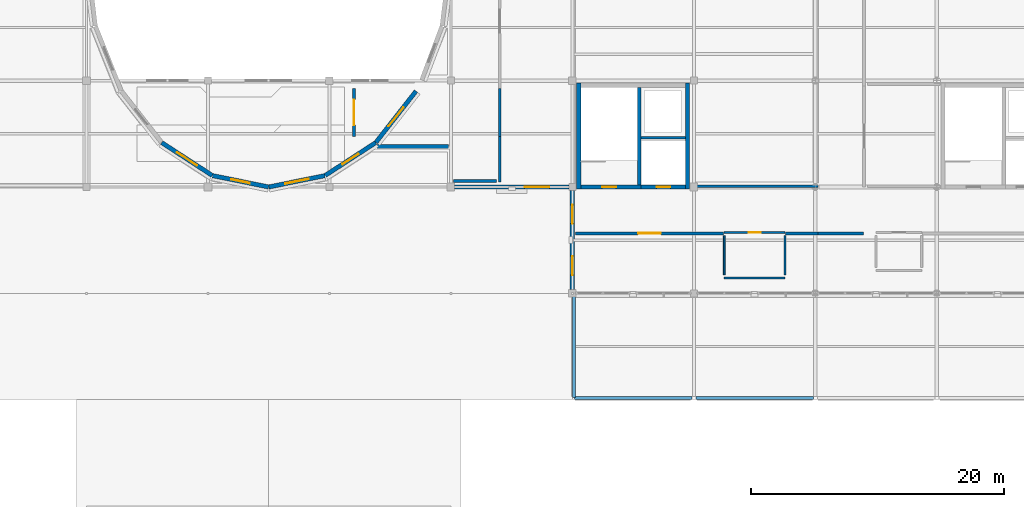
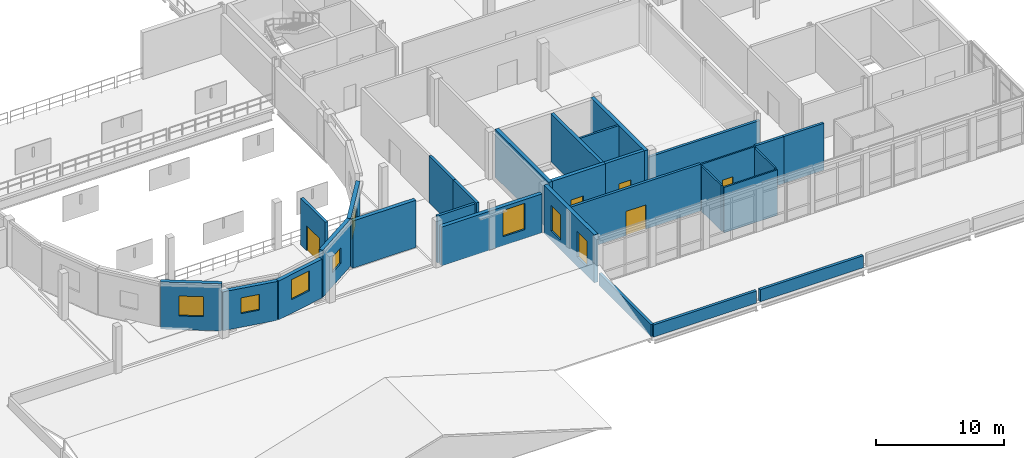
# One storey, part 40 of 52: 29 walls, 8 windows, 5 doors, 13 openings.
"""IFC4 building model written with IfcOpenShell, lengths in metres."""

from ifc_helpers import new_model, si_unit, direction, frame, frame_2d, origin, place, context, subcontext, project, spatial, rectangle, extrude, material, layer, layer_set, type_object, element, fill, save


model = new_model("IFC4")

# Units and contexts
model_context = context("Model", 3, precision=1e-05, world=origin(), true_north=direction((0.0, 1.0)))
body_context = subcontext(model_context, "Body", "Model", "MODEL_VIEW")
ifc_project = project(units=[si_unit("LENGTHUNIT", "METRE"), si_unit("AREAUNIT", "SQUARE_METRE"), si_unit("VOLUMEUNIT", "CUBIC_METRE"), si_unit("PLANEANGLEUNIT", "RADIAN"), si_unit("MASSUNIT", "GRAM", prefix="KILO")], contexts=[model_context])

# Site, building, storey
site_placement = place(None, origin())
site = spatial("IfcSite", under=ifc_project, at=site_placement, CompositionType="ELEMENT")
building_placement = place(site_placement, origin())
building = spatial("IfcBuilding", under=site, at=building_placement, Name="Lornevale Opera House", CompositionType="ELEMENT")
storey_placement = place(building_placement, frame((0.0, 0.0, 15.0)))
storey = spatial("IfcBuildingStorey", under=building, at=storey_placement, Name="L04", CompositionType="ELEMENT", Elevation=15.0)

# Wall, opening, door
ifc_material_1 = material(Name="Acoustic Mineral-Core Gypsum Partition", Category="gypsum")
ifc_layer_1 = layer(ifc_material_1, 0.25)
ifc_layer_set_1 = layer_set([ifc_layer_1], Name="Acoustic Mineral-Core Gypsum Partition")
wall_type_1 = type_object("IfcWallType", Name="Auditorium Box-in-Box Liner 250", PredefinedType="SOLIDWALL", material=ifc_layer_set_1)
wall_1_placement = place(storey_placement, frame((88.340087890625, 37.60009765625, 0.0), z_axis=(0.0, 0.0, 1.0), x_axis=(0.0, 1.0, 0.0)))
wall_1 = element("IfcWall", 1, at=wall_1_placement, inside=storey, type_object=wall_type_1, Name="L04 Partition WL-INT-0866", PredefinedType="SOLIDWALL", context=body_context, shape_type="SweptSolid", body=[
    extrude(rectangle(XDim=3.7998046875, YDim=0.25, at=frame_2d((1.89990234375, 0.0))), origin(), (0.0, 0.0, 1.0), 4.449951171875),
])
opening_1_placement = place(wall_1_placement, frame((0.89990234375, 0.0, 0.0)))
opening_1 = element("IfcOpeningElement", 2, at=opening_1_placement, cuts=wall_1, Name="Opening DR-T14", PredefinedType="OPENING", context=body_context, shape_type="SweptSolid", body=[
    extrude(rectangle(XDim=2.0, YDim=2.39990234375, at=frame_2d((1.0, 1.199951171875))), frame((0.0, 0.135009765625, 0.0), z_axis=(0.0, -1.0, 0.0), x_axis=(1.0, 0.0, 0.0)), (0.0, 0.0, 1.0), 0.27001953125),
])
ifc_material_2 = material(Name="White Oak Acoustic Panelling", Category="wood")
ifc_layer_2 = layer(ifc_material_2, 2.39990234375)
ifc_layer_set_2 = layer_set([ifc_layer_2], Name="White Oak Acoustic Panelling")
door_type_1 = type_object("IfcDoorType", Name="Auditorium Acoustic Sound-Lock Pair 2000x2400", OperationType="NOTDEFINED", PredefinedType="DOOR", material=ifc_layer_set_2)
door_1_placement = place(opening_1_placement, origin())
door_1 = element("IfcDoor", 3, at=door_1_placement, inside=storey, type_object=door_type_1, Name="Auditorium Upper Circle Tier Door", OperationType="DOUBLE_SWING_LEFT", OverallHeight=2.39990234375, OverallWidth=2.0, PredefinedType="DOOR", context=body_context, shape_type="SweptSolid", body=[
    extrude(rectangle(XDim=2.0, YDim=2.39990234375, at=frame_2d((1.0, 1.199951171875))), frame((0.0, 0.02490234375, 0.0), z_axis=(0.0, -1.0, 0.0), x_axis=(1.0, 0.0, 0.0)), (0.0, 0.0, 1.0), 0.050048828125),
])
fill(opening_1, door_1)

ifc_material_3 = material(Name="Concrete 40 MPa (CSA A23.1 C-1)", Category="concrete")
ifc_layer_3 = layer(ifc_material_3, 0.320068359375)
ifc_layer_set_3 = layer_set([ifc_layer_3], Name="Concrete 40 MPa (CSA A23.1 C-1)")
wall_type_2 = type_object("IfcWallType", Name="Core Shear Wall 320", PredefinedType="SHEAR", material=ifc_layer_set_3)
wall_2_placement = place(storey_placement, frame((106.260009765625, 33.60009765625, 0.0), z_axis=(0.0, 0.0, 1.0), x_axis=(1.0, 0.0, 0.0)))
wall_2 = element("IfcWall", 4, at=wall_2_placement, inside=storey, type_object=wall_type_2, Name="South-East Foyer Core Core Shear Wall 320 WL-COR-0071", PredefinedType="SHEAR", context=body_context, shape_type="SweptSolid", body=[
    extrude(rectangle(XDim=4.780029296875, YDim=0.320068359375, at=frame_2d((2.39013671875, 0.0))), origin(), (0.0, 0.0, 1.0), 4.56005859375),
])
opening_2_placement = place(wall_2_placement, frame((1.68994140625, 0.0, 0.0)))
opening_2 = element("IfcOpeningElement", 5, at=opening_2_placement, cuts=wall_2, Name="Opening DR-T11", PredefinedType="OPENING", context=body_context, shape_type="SweptSolid", body=[
    extrude(rectangle(XDim=1.10009765625, YDim=2.199951171875, at=frame_2d((0.550048828125, 1.10009765625))), frame((0.0, 0.169921875, 0.0), z_axis=(0.0, -1.0, 0.0), x_axis=(1.0, 0.0, 0.0)), (0.0, 0.0, 1.0), 0.340087890625),
])
ifc_material_4 = material(Name="Painted Hollow Metal Door Steel", Category="steel")
ifc_layer_4 = layer(ifc_material_4, 2.199951171875)
ifc_layer_set_4 = layer_set([ifc_layer_4], Name="Painted Hollow Metal Door Steel")
door_type_2 = type_object("IfcDoorType", Name="Protected Exit Stair Door R 1100x2200", OperationType="NOTDEFINED", PredefinedType="DOOR", material=ifc_layer_set_4)
door_2_placement = place(opening_2_placement, origin())
door_2 = element("IfcDoor", 6, at=door_2_placement, inside=storey, type_object=door_type_2, Name="C2 Stair Door L04", OperationType="SINGLE_SWING_RIGHT", OverallHeight=2.199951171875, OverallWidth=1.10009765625, PredefinedType="DOOR", context=body_context, shape_type="SweptSolid", body=[
    extrude(rectangle(XDim=1.10009765625, YDim=2.199951171875, at=frame_2d((0.550048828125, 1.10009765625))), frame((0.0, 0.02490234375, 0.0), z_axis=(0.0, -1.0, 0.0), x_axis=(1.0, 0.0, 0.0)), (0.0, 0.0, 1.0), 0.050048828125),
])
fill(opening_2, door_2)

# Walls
for number, where, z_axis, x_axis, name in (
    (7, (106.10009765625, 41.800048828125, 0.0), (0.0, 0.0, 1.0), (0.0, -1.0, 0.0), "South-East Foyer Core Core Shear Wall 320 WL-COR-0074"),
    (8, (114.699951171875, 33.43994140625, 0.0), (0.0, 0.0, 1.0), (0.0, 1.0, 0.0), "South-East Foyer Core Core Shear Wall 320 WL-COR-0075"),
):
    element("IfcWall", number, at=place(storey_placement, frame(where, z_axis=z_axis, x_axis=x_axis)), inside=storey, type_object=wall_type_2, Name=name, PredefinedType="SHEAR", context=body_context, shape_type="SweptSolid", body=[
        extrude(rectangle(XDim=8.360107421875, YDim=0.320068359375, at=frame_2d((4.18017578125, 0.0))), origin(), (0.0, 0.0, 1.0), 4.56005859375),
    ])

# Wall, opening, door
ifc_layer_5 = layer(ifc_material_3, 0.280029296875)
ifc_layer_set_5 = layer_set([ifc_layer_5], Name="Concrete 40 MPa (CSA A23.1 C-1)")
wall_type_3 = type_object("IfcWallType", Name="Elevator Shaft Wall 280", PredefinedType="SHEAR", material=ifc_layer_set_5)
wall_3_placement = place(storey_placement, frame((111.0400390625, 33.60009765625, 0.0), z_axis=(0.0, 0.0, 1.0), x_axis=(1.0, 0.0, 0.0)))
wall_3 = element("IfcWall", 9, at=wall_3_placement, inside=storey, type_object=wall_type_3, Name="South-East Foyer Core Elevator Shaft Wall 280 WL-COR-0072", PredefinedType="SHEAR", context=body_context, shape_type="SweptSolid", body=[
    extrude(rectangle(XDim=3.5, YDim=0.280029296875, at=frame_2d((1.75, 0.0))), origin(), (0.0, 0.0, 1.0), 4.56005859375),
])
opening_3_placement = place(wall_3_placement, frame((1.2099609375, 0.0, 0.0)))
opening_3 = element("IfcOpeningElement", 10, at=opening_3_placement, cuts=wall_3, Name="Opening DR-T25", PredefinedType="OPENING", context=body_context, shape_type="SweptSolid", body=[
    extrude(rectangle(XDim=1.10009765625, YDim=2.199951171875, at=frame_2d((0.550048828125, 1.10009765625))), frame((0.0, 0.14990234375, 0.0), z_axis=(0.0, -1.0, 0.0), x_axis=(1.0, 0.0, 0.0)), (0.0, 0.0, 1.0), 0.300048828125),
])
ifc_layer_6 = layer(ifc_material_4, 2.199951171875)
ifc_layer_set_6 = layer_set([ifc_layer_6], Name="Painted Hollow Metal Door Steel")
door_type_3 = type_object("IfcDoorType", Name="Passenger Lift Landing Door 1100x2200", OperationType="NOTDEFINED", PredefinedType="DOOR", material=ifc_layer_set_6)
door_3_placement = place(opening_3_placement, origin())
door_3 = element("IfcDoor", 11, at=door_3_placement, inside=storey, type_object=door_type_3, Name="L-P2 Landing Door L04", OperationType="SLIDING_TO_LEFT", OverallHeight=2.199951171875, OverallWidth=1.10009765625, PredefinedType="DOOR", context=body_context, shape_type="SweptSolid", body=[
    extrude(rectangle(XDim=1.10009765625, YDim=2.199951171875, at=frame_2d((0.550048828125, 1.10009765625))), frame((0.0, 0.02490234375, 0.0), z_axis=(0.0, -1.0, 0.0), x_axis=(1.0, 0.0, 0.0)), (0.0, 0.0, 1.0), 0.050048828125),
])
fill(opening_3, door_3)

# Wall
wall_4_placement = place(storey_placement, frame((110.89990234375, 33.760009765625, 0.0), z_axis=(0.0, 0.0, 1.0), x_axis=(0.0, 1.0, 0.0)))
element("IfcWall", 12, at=wall_4_placement, inside=storey, type_object=wall_type_3, Name="South-East Foyer Core Elevator Shaft Wall 280 WL-COR-0076", PredefinedType="SHEAR", context=body_context, shape_type="SweptSolid", body=[
    extrude(rectangle(XDim=7.719970703125, YDim=0.280029296875, at=frame_2d((3.85986328125, 0.0))), origin(), (0.0, 0.0, 1.0), 4.56005859375),
])

# Wall, opening, window
ifc_material_5 = material(Name="Credit Valley Sandstone Ashlar Masonry (25 MPa)", Category="masonry")
ifc_layer_7 = layer(ifc_material_5, 0.340087890625)
ifc_layer_set_7 = layer_set([ifc_layer_7], Name="Credit Valley Sandstone Ashlar Masonry (25 MPa)")
wall_type_4 = type_object("IfcWallType", Name="Polychrome Drum Cavity Wall 340", PredefinedType="SOLIDWALL", material=ifc_layer_set_7)
wall_5_placement = place(storey_placement, frame((105.324951171875, 33.60009765625, 0.0), z_axis=(0.0, 0.0, 1.0), x_axis=(-1.0, 0.0, 0.0)))
wall_5 = element("IfcWall", 13, at=wall_5_placement, inside=storey, type_object=wall_type_4, Name="Polychrome Drum Cavity Wall 340 WL-EXT-0259", PredefinedType="SOLIDWALL", context=body_context, shape_type="SweptSolid", body=[
    extrude(rectangle(XDim=9.02490234375, YDim=0.340087890625, at=frame_2d((4.512451171875, 0.0))), origin(), (0.0, 0.0, 1.0), 3.698974609375),
])
opening_4_placement = place(wall_5_placement, frame((1.552001953125, 0.0, 0.85009765625)))
opening_4 = element("IfcOpeningElement", 14, at=opening_4_placement, cuts=wall_5, Name="Opening WN-T20", PredefinedType="OPENING", context=body_context, shape_type="SweptSolid", body=[
    extrude(rectangle(XDim=1.949951171875, YDim=2.5, at=frame_2d((0.97509765625, 1.25))), frame((0.0, 0.179931640625, 0.0), z_axis=(0.0, -1.0, 0.0), x_axis=(1.0, 0.0, 0.0)), (0.0, 0.0, 1.0), 0.360107421875),
])
ifc_material_6 = material(Name="Triple Low-E Insulated Glazing", Category="glass")
ifc_layer_8 = layer(ifc_material_6, 0.06005859375)
ifc_layer_set_8 = layer_set([ifc_layer_8], Name="Triple Low-E Insulated Glazing")
window_type_1 = type_object("IfcWindowType", Name="Belvedere Corner Window 1950x2500", PartitioningType="NOTDEFINED", PredefinedType="WINDOW", material=ifc_layer_set_8)
window_1_placement = place(opening_4_placement, origin())
window_1 = element("IfcWindow", 15, at=window_1_placement, inside=storey, type_object=window_type_1, Name="Belvedere Corner Window 1950x2500 WN-0104", OverallHeight=2.5, OverallWidth=1.949951171875, PartitioningType="SINGLE_PANEL", PredefinedType="WINDOW", context=body_context, shape_type="SweptSolid", body=[
    extrude(rectangle(XDim=1.949951171875, YDim=2.5, at=frame_2d((0.97509765625, 1.25))), frame((0.0, 0.030029296875, 0.0), z_axis=(0.0, -1.0, 0.0), x_axis=(1.0, 0.0, 0.0)), (0.0, 0.0, 1.0), 0.06005859375),
])
fill(opening_4, window_1)

# Wall, openings, windows
wall_6_placement = place(storey_placement, frame((105.60009765625, 25.5, 0.0), z_axis=(0.0, 0.0, 1.0), x_axis=(0.0, 1.0, 0.0)))
wall_6 = element("IfcWall", 16, at=wall_6_placement, inside=storey, type_object=wall_type_4, Name="Polychrome Drum Cavity Wall 340 WL-EXT-0262", PredefinedType="SOLIDWALL", context=body_context, shape_type="SweptSolid", body=[
    extrude(rectangle(XDim=7.824951171875, YDim=0.340087890625, at=frame_2d((3.91259765625, 0.0))), origin(), (0.0, 0.0, 1.0), 4.56005859375),
])
opening_5_placement = place(wall_6_placement, frame((1.1279296875, 0.0, 0.89990234375)))
opening_5 = element("IfcOpeningElement", 17, at=opening_5_placement, cuts=wall_6, Name="Opening WN-T02", PredefinedType="OPENING", context=body_context, shape_type="SweptSolid", body=[
    extrude(rectangle(XDim=1.5, YDim=2.39990234375, at=frame_2d((0.75, 1.199951171875))), frame((0.0, 0.179931640625, 0.0), z_axis=(0.0, -1.0, 0.0), x_axis=(1.0, 0.0, 0.0)), (0.0, 0.0, 1.0), 0.360107421875),
])
opening_6_placement = place(wall_6_placement, frame((5.197021484375, 0.0, 0.89990234375)))
opening_6 = element("IfcOpeningElement", 18, at=opening_6_placement, cuts=wall_6, Name="Opening WN-T02", PredefinedType="OPENING", context=body_context, shape_type="SweptSolid", body=[
    extrude(rectangle(XDim=1.5, YDim=2.39990234375, at=frame_2d((0.75, 1.199951171875))), frame((0.0, 0.179931640625, 0.0), z_axis=(0.0, -1.0, 0.0), x_axis=(1.0, 0.0, 0.0)), (0.0, 0.0, 1.0), 0.360107421875),
])
ifc_layer_9 = layer(ifc_material_6, 0.06005859375)
ifc_layer_set_9 = layer_set([ifc_layer_9], Name="Triple Low-E Insulated Glazing")
window_type_2 = type_object("IfcWindowType", Name="Punched Deep-Reveal Window 1500x2400", PartitioningType="NOTDEFINED", PredefinedType="WINDOW", material=ifc_layer_set_9)
window_2_placement = place(opening_5_placement, origin())
window_2 = element("IfcWindow", 19, at=window_2_placement, inside=storey, type_object=window_type_2, Name="Punched Deep-Reveal Window 1500x2400 WN-0107", OverallHeight=2.39990234375, OverallWidth=1.5, PartitioningType="SINGLE_PANEL", PredefinedType="WINDOW", context=body_context, shape_type="SweptSolid", body=[
    extrude(rectangle(XDim=1.5, YDim=2.39990234375, at=frame_2d((0.75, 1.199951171875))), frame((0.0, 0.030029296875, 0.0), z_axis=(0.0, -1.0, 0.0), x_axis=(1.0, 0.0, 0.0)), (0.0, 0.0, 1.0), 0.06005859375),
])
fill(opening_5, window_2)
window_3_placement = place(opening_6_placement, origin())
window_3 = element("IfcWindow", 20, at=window_3_placement, inside=storey, type_object=window_type_2, Name="Punched Deep-Reveal Window 1500x2400 WN-0108", OverallHeight=2.39990234375, OverallWidth=1.5, PartitioningType="SINGLE_PANEL", PredefinedType="WINDOW", context=body_context, shape_type="SweptSolid", body=[
    extrude(rectangle(XDim=1.5, YDim=2.39990234375, at=frame_2d((0.75, 1.199951171875))), frame((0.0, 0.030029296875, 0.0), z_axis=(0.0, -1.0, 0.0), x_axis=(1.0, 0.0, 0.0)), (0.0, 0.0, 1.0), 0.06005859375),
])
fill(opening_6, window_3)

# Wall
wall_7_placement = place(storey_placement, frame((90.14990234375, 36.800048828125, 0.0), z_axis=(0.0, 0.0, 1.0), x_axis=(1.0, 0.0, 0.0)))
element("IfcWall", 21, at=wall_7_placement, inside=storey, type_object=wall_type_4, Name="Auditorium Horseshoe Drum Link Wall WL-DRM-0360", PredefinedType="SOLIDWALL", context=body_context, shape_type="SweptSolid", body=[
    extrude(rectangle(XDim=5.670166015625, YDim=0.340087890625, at=frame_2d((2.8349609375, 0.0))), origin(), (0.0, 0.0, 1.0), 4.47998046875),
])

# Wall, opening, window
wall_8_placement = place(storey_placement, frame((73.14599609375, 37.107421875, 0.0), z_axis=(0.0, 0.0, 1.0), x_axis=(0.838077071432, -0.545551851194, 0.0)))
wall_8 = element("IfcWall", 22, at=wall_8_placement, inside=storey, type_object=wall_type_4, Name="Auditorium Horseshoe Drum Wall WL-DRM-0365", PredefinedType="SOLIDWALL", context=body_context, shape_type="SweptSolid", body=[
    extrude(rectangle(XDim=4.765625, YDim=0.340087890625, at=frame_2d((2.3828125, 0.0))), origin(), (0.0, 0.0, 1.0), 4.47998046875),
])
opening_7_placement = place(wall_8_placement, frame((1.43310546875, 0.0, 1.300048828125)))
opening_7 = element("IfcOpeningElement", 23, at=opening_7_placement, cuts=wall_8, Name="Opening WN-T18", PredefinedType="OPENING", context=body_context, shape_type="SweptSolid", body=[
    extrude(rectangle(XDim=1.89990234375, YDim=1.89990234375, at=frame_2d((0.949951171875, 0.949951171875))), frame((0.0, 0.179931640625, 0.0), z_axis=(0.0, -1.0, 0.0), x_axis=(1.0, 0.0, 0.0)), (0.0, 0.0, 1.0), 0.360107421875),
])
ifc_layer_10 = layer(ifc_material_6, 0.06005859375)
ifc_layer_set_10 = layer_set([ifc_layer_10], Name="Triple Low-E Insulated Glazing")
window_type_3 = type_object("IfcWindowType", Name="Postmodern Drum Ocular Window 1900x1900", PartitioningType="NOTDEFINED", PredefinedType="WINDOW", material=ifc_layer_set_10)
window_4_placement = place(opening_7_placement, origin())
window_4 = element("IfcWindow", 24, at=window_4_placement, inside=storey, type_object=window_type_3, Name="Postmodern Drum Ocular Window 1900x1900 WN-0162", OverallHeight=1.89990234375, OverallWidth=1.89990234375, PartitioningType="SINGLE_PANEL", PredefinedType="WINDOW", context=body_context, shape_type="SweptSolid", body=[
    extrude(rectangle(XDim=1.89990234375, YDim=1.89990234375, at=frame_2d((0.949951171875, 0.949951171875))), frame((0.0, 0.030029296875, 0.0), z_axis=(0.0, -1.0, 0.0), x_axis=(1.0, 0.0, 0.0)), (0.0, 0.0, 1.0), 0.06005859375),
])
fill(opening_7, window_4)

wall_9_placement = place(storey_placement, frame((77.161865234375, 34.49853515625, 0.0), z_axis=(0.0, 0.0, 1.0), x_axis=(0.980110057719, -0.198454717148, 0.0)))
wall_9 = element("IfcWall", 25, at=wall_9_placement, inside=storey, type_object=wall_type_4, Name="Auditorium Horseshoe Drum Wall WL-DRM-0366", PredefinedType="SOLIDWALL", context=body_context, shape_type="SweptSolid", body=[
    extrude(rectangle(XDim=4.51611328125, YDim=0.340087890625, at=frame_2d((2.258056640625, 0.0))), origin(), (0.0, 0.0, 1.0), 3.698974609375),
])
opening_8_placement = place(wall_9_placement, frame((1.508056640625, 0.0, 1.300048828125)))
opening_8 = element("IfcOpeningElement", 26, at=opening_8_placement, cuts=wall_9, Name="Opening WN-T17", PredefinedType="OPENING", context=body_context, shape_type="SweptSolid", body=[
    extrude(rectangle(XDim=1.5, YDim=1.5, at=frame_2d((0.75, 0.75))), frame((0.0, 0.179931640625, 0.0), z_axis=(0.0, -1.0, 0.0), x_axis=(1.0, 0.0, 0.0)), (0.0, 0.0, 1.0), 0.360107421875),
])
ifc_layer_11 = layer(ifc_material_6, 0.06005859375)
ifc_layer_set_11 = layer_set([ifc_layer_11], Name="Triple Low-E Insulated Glazing")
window_type_4 = type_object("IfcWindowType", Name="Postmodern Drum Ocular Window 1500x1500", PartitioningType="NOTDEFINED", PredefinedType="WINDOW", material=ifc_layer_set_11)
window_5_placement = place(opening_8_placement, origin())
window_5 = element("IfcWindow", 27, at=window_5_placement, inside=storey, type_object=window_type_4, Name="Postmodern Drum Ocular Window 1500x1500 WN-0163", OverallHeight=1.5, OverallWidth=1.5, PartitioningType="SINGLE_PANEL", PredefinedType="WINDOW", context=body_context, shape_type="SweptSolid", body=[
    extrude(rectangle(XDim=1.5, YDim=1.5, at=frame_2d((0.75, 0.75))), frame((0.0, 0.030029296875, 0.0), z_axis=(0.0, -1.0, 0.0), x_axis=(1.0, 0.0, 0.0)), (0.0, 0.0, 1.0), 0.06005859375),
])
fill(opening_8, window_5)

wall_10_placement = place(storey_placement, frame((81.61181640625, 33.602294921875, 0.0), z_axis=(0.0, 0.0, 1.0), x_axis=(0.980110057719, 0.198454717148, 0.0)))
wall_10 = element("IfcWall", 28, at=wall_10_placement, inside=storey, type_object=wall_type_4, Name="Auditorium Horseshoe Drum Wall WL-DRM-0367", PredefinedType="SOLIDWALL", context=body_context, shape_type="SweptSolid", body=[
    extrude(rectangle(XDim=4.51611328125, YDim=0.340087890625, at=frame_2d((2.258056640625, 0.0))), origin(), (0.0, 0.0, 1.0), 3.698974609375),
])
opening_9_placement = place(wall_10_placement, frame((1.30810546875, 0.0, 1.300048828125)))
opening_9 = element("IfcOpeningElement", 29, at=opening_9_placement, cuts=wall_10, Name="Opening WN-T18", PredefinedType="OPENING", context=body_context, shape_type="SweptSolid", body=[
    extrude(rectangle(XDim=1.89990234375, YDim=1.89990234375, at=frame_2d((0.949951171875, 0.949951171875))), frame((0.0, 0.179931640625, 0.0), z_axis=(0.0, -1.0, 0.0), x_axis=(1.0, 0.0, 0.0)), (0.0, 0.0, 1.0), 0.360107421875),
])
window_6_placement = place(opening_9_placement, origin())
window_6 = element("IfcWindow", 30, at=window_6_placement, inside=storey, type_object=window_type_3, Name="Postmodern Drum Ocular Window 1900x1900 WN-0164", OverallHeight=1.89990234375, OverallWidth=1.89990234375, PartitioningType="SINGLE_PANEL", PredefinedType="WINDOW", context=body_context, shape_type="SweptSolid", body=[
    extrude(rectangle(XDim=1.89990234375, YDim=1.89990234375, at=frame_2d((0.949951171875, 0.949951171875))), frame((0.0, 0.030029296875, 0.0), z_axis=(0.0, -1.0, 0.0), x_axis=(1.0, 0.0, 0.0)), (0.0, 0.0, 1.0), 0.06005859375),
])
fill(opening_9, window_6)

wall_11_placement = place(storey_placement, frame((86.06005859375, 34.507568359375, 0.0), z_axis=(0.0, 0.0, 1.0), x_axis=(0.838077071432, 0.545551851194, 0.0)))
wall_11 = element("IfcWall", 31, at=wall_11_placement, inside=storey, type_object=wall_type_4, Name="Auditorium Horseshoe Drum Wall WL-DRM-0368", PredefinedType="SOLIDWALL", context=body_context, shape_type="SweptSolid", body=[
    extrude(rectangle(XDim=4.765625, YDim=0.340087890625, at=frame_2d((2.3828125, 0.0))), origin(), (0.0, 0.0, 1.0), 4.47998046875),
])
opening_10_placement = place(wall_11_placement, frame((1.633056640625, 0.0, 1.300048828125)))
opening_10 = element("IfcOpeningElement", 32, at=opening_10_placement, cuts=wall_11, Name="Opening WN-T17", PredefinedType="OPENING", context=body_context, shape_type="SweptSolid", body=[
    extrude(rectangle(XDim=1.5, YDim=1.5, at=frame_2d((0.75, 0.75))), frame((0.0, 0.179931640625, 0.0), z_axis=(0.0, -1.0, 0.0), x_axis=(1.0, 0.0, 0.0)), (0.0, 0.0, 1.0), 0.360107421875),
])
window_7_placement = place(opening_10_placement, origin())
window_7 = element("IfcWindow", 33, at=window_7_placement, inside=storey, type_object=window_type_4, Name="Postmodern Drum Ocular Window 1500x1500 WN-0165", OverallHeight=1.5, OverallWidth=1.5, PartitioningType="SINGLE_PANEL", PredefinedType="WINDOW", context=body_context, shape_type="SweptSolid", body=[
    extrude(rectangle(XDim=1.5, YDim=1.5, at=frame_2d((0.75, 0.75))), frame((0.0, 0.030029296875, 0.0), z_axis=(0.0, -1.0, 0.0), x_axis=(1.0, 0.0, 0.0)), (0.0, 0.0, 1.0), 0.06005859375),
])
fill(opening_10, window_7)

wall_12_placement = place(storey_placement, frame((90.0712890625, 37.12353515625, 0.0), z_axis=(0.0, 0.0, 1.0), x_axis=(0.616338965583, 0.787480970884, 0.0)))
wall_12 = element("IfcWall", 34, at=wall_12_placement, inside=storey, type_object=wall_type_4, Name="Auditorium Horseshoe Drum Wall WL-DRM-0369", PredefinedType="SOLIDWALL", context=body_context, shape_type="SweptSolid", body=[
    extrude(rectangle(XDim=5.1455078125, YDim=0.340087890625, at=frame_2d((2.57275390625, 0.0))), origin(), (0.0, 0.0, 1.0), 4.47998046875),
])
opening_11_placement = place(wall_12_placement, frame((1.623046875, 0.0, 1.300048828125)))
opening_11 = element("IfcOpeningElement", 35, at=opening_11_placement, cuts=wall_12, Name="Opening WN-T18", PredefinedType="OPENING", context=body_context, shape_type="SweptSolid", body=[
    extrude(rectangle(XDim=1.89990234375, YDim=1.89990234375, at=frame_2d((0.949951171875, 0.949951171875))), frame((0.0, 0.179931640625, 0.0), z_axis=(0.0, -1.0, 0.0), x_axis=(1.0, 0.0, 0.0)), (0.0, 0.0, 1.0), 0.360107421875),
])
window_8_placement = place(opening_11_placement, origin())
window_8 = element("IfcWindow", 36, at=window_8_placement, inside=storey, type_object=window_type_3, Name="Postmodern Drum Ocular Window 1900x1900 WN-0166", OverallHeight=1.89990234375, OverallWidth=1.89990234375, PartitioningType="SINGLE_PANEL", PredefinedType="WINDOW", context=body_context, shape_type="SweptSolid", body=[
    extrude(rectangle(XDim=1.89990234375, YDim=1.89990234375, at=frame_2d((0.949951171875, 0.949951171875))), frame((0.0, 0.030029296875, 0.0), z_axis=(0.0, -1.0, 0.0), x_axis=(1.0, 0.0, 0.0)), (0.0, 0.0, 1.0), 0.06005859375),
])
fill(opening_11, window_8)

# Walls
ifc_layer_12 = layer(ifc_material_1, 0.22998046875)
ifc_layer_set_12 = layer_set([ifc_layer_12], Name="Acoustic Mineral-Core Gypsum Partition")
wall_type_5 = type_object("IfcWallType", Name="Rehearsal Studio Acoustic Wall 230", PredefinedType="SOLIDWALL", material=ifc_layer_set_12)
wall_13_placement = place(storey_placement, frame((114.949951171875, 33.659912109375, 0.0), z_axis=(0.0, 0.0, 1.0), x_axis=(1.0, 0.0, 0.0)))
element("IfcWall", 37, at=wall_13_placement, inside=storey, type_object=wall_type_5, Name="L04 Partition WL-INT-0867", PredefinedType="SOLIDWALL", context=body_context, shape_type="SweptSolid", body=[
    extrude(rectangle(XDim=10.050048828125, YDim=0.22998046875, at=frame_2d((5.02490234375, 0.0))), origin(), (0.0, 0.0, 1.0), 3.72900390625),
])
wall_14_placement = place(storey_placement, frame((125.0, 29.93994140625, 0.0), z_axis=(0.0, 0.0, 1.0), x_axis=(1.0, 0.0, 0.0)))
element("IfcWall", 38, at=wall_14_placement, inside=storey, type_object=wall_type_5, Name="L04 Partition WL-INT-0876", PredefinedType="SOLIDWALL", context=body_context, shape_type="SweptSolid", body=[
    extrude(rectangle(XDim=3.60009765625, YDim=0.22998046875, at=frame_2d((1.800048828125, 0.0))), origin(), (0.0, 0.0, 1.0), 4.449951171875),
])
wall_15_placement = place(storey_placement, frame((122.4599609375, 29.93994140625, 0.0), z_axis=(0.0, 0.0, 1.0), x_axis=(1.0, 0.0, 0.0)))
element("IfcWall", 39, at=wall_15_placement, inside=storey, type_object=wall_type_5, Name="L04 Partition WL-INT-0877", PredefinedType="SOLIDWALL", context=body_context, shape_type="SweptSolid", body=[
    extrude(rectangle(XDim=2.5400390625, YDim=0.22998046875, at=frame_2d((1.27001953125, 0.0))), origin(), (0.0, 0.0, 1.0), 4.449951171875),
])

# Wall, opening, door
wall_16_placement = place(storey_placement, frame((105.85009765625, 29.93994140625, 0.0), z_axis=(0.0, 0.0, 1.0), x_axis=(1.0, 0.0, 0.0)))
wall_16 = element("IfcWall", 40, at=wall_16_placement, inside=storey, type_object=wall_type_5, Name="L04 Partition WL-INT-0878", PredefinedType="SOLIDWALL", context=body_context, shape_type="SweptSolid", body=[
    extrude(rectangle(XDim=11.68994140625, YDim=0.22998046875, at=frame_2d((5.844970703125, 0.0))), origin(), (0.0, 0.0, 1.0), 4.449951171875),
])
opening_12_placement = place(wall_16_placement, frame((4.945068359375, 0.0, 0.0)))
opening_12 = element("IfcOpeningElement", 41, at=opening_12_placement, cuts=wall_16, Name="Opening DR-T15", PredefinedType="OPENING", context=body_context, shape_type="SweptSolid", body=[
    extrude(rectangle(XDim=1.800048828125, YDim=2.300048828125, at=frame_2d((0.89990234375, 1.14990234375))), frame((0.0, 0.125, 0.0), z_axis=(0.0, -1.0, 0.0), x_axis=(1.0, 0.0, 0.0)), (0.0, 0.0, 1.0), 0.25),
])
ifc_layer_13 = layer(ifc_material_2, 2.300048828125)
ifc_layer_set_13 = layer_set([ifc_layer_13], Name="White Oak Acoustic Panelling")
door_type_4 = type_object("IfcDoorType", Name="Chamber Hall Acoustic Pair 1800x2300", OperationType="NOTDEFINED", PredefinedType="DOOR", material=ifc_layer_set_13)
door_4_placement = place(opening_12_placement, origin())
door_4 = element("IfcDoor", 42, at=door_4_placement, inside=storey, type_object=door_type_4, Name="Chamber Theory Seminar Studio Door", OperationType="DOUBLE_SWING_LEFT", OverallHeight=2.300048828125, OverallWidth=1.800048828125, PredefinedType="DOOR", context=body_context, shape_type="SweptSolid", body=[
    extrude(rectangle(XDim=1.800048828125, YDim=2.300048828125, at=frame_2d((0.89990234375, 1.14990234375))), frame((0.0, 0.02490234375, 0.0), z_axis=(0.0, -1.0, 0.0), x_axis=(1.0, 0.0, 0.0)), (0.0, 0.0, 1.0), 0.050048828125),
])
fill(opening_12, door_4)

# Walls
wall_17_placement = place(storey_placement, frame((99.860107421875, 37.60009765625, 0.0), z_axis=(0.0, 0.0, 1.0), x_axis=(0.0, 1.0, 0.0)))
element("IfcWall", 43, at=wall_17_placement, inside=storey, type_object=wall_type_5, Name="L04 Partition WL-INT-0880", PredefinedType="SOLIDWALL", context=body_context, shape_type="SweptSolid", body=[
    extrude(rectangle(XDim=3.7998046875, YDim=0.22998046875, at=frame_2d((1.89990234375, 0.0))), origin(), (0.0, 0.0, 1.0), 4.449951171875),
])
wall_18_placement = place(storey_placement, frame((99.860107421875, 34.0, 0.0), z_axis=(0.0, 0.0, 1.0), x_axis=(0.0, 1.0, 0.0)))
element("IfcWall", 44, at=wall_18_placement, inside=storey, type_object=wall_type_5, Name="L04 Partition WL-INT-0881", PredefinedType="SOLIDWALL", context=body_context, shape_type="SweptSolid", body=[
    extrude(rectangle(XDim=3.60009765625, YDim=0.22998046875, at=frame_2d((1.800048828125, 0.0))), origin(), (0.0, 0.0, 1.0), 4.449951171875),
])
wall_19_placement = place(storey_placement, frame((96.219970703125, 34.06005859375, 0.0), z_axis=(0.0, 0.0, 1.0), x_axis=(1.0, 0.0, 0.0)))
element("IfcWall", 45, at=wall_19_placement, inside=storey, type_object=wall_type_5, Name="L04 Partition WL-INT-0882", PredefinedType="SOLIDWALL", context=body_context, shape_type="SweptSolid", body=[
    extrude(rectangle(XDim=3.39013671875, YDim=0.22998046875, at=frame_2d((1.695068359375, 0.0))), origin(), (0.0, 0.0, 1.0), 4.449951171875),
])
ifc_material_7 = material(Name="Moisture-Resistant Ceramic & Gypsum Partition", Category="gypsum")
ifc_layer_14 = layer(ifc_material_7, 0.179931640625)
ifc_layer_set_14 = layer_set([ifc_layer_14], Name="Moisture-Resistant Ceramic & Gypsum Partition")
wall_type_6 = type_object("IfcWallType", Name="Riser Shaft Wall 180", PredefinedType="SOLIDWALL", material=ifc_layer_set_14)
wall_20_placement = place(storey_placement, frame((111.0400390625, 37.5, 0.0), z_axis=(0.0, 0.0, 1.0), x_axis=(1.0, 0.0, 0.0)))
element("IfcWall", 46, at=wall_20_placement, inside=storey, type_object=wall_type_6, Name="South-East Foyer Core Riser Shaft Wall 180 WL-COR-0077", PredefinedType="SOLIDWALL", context=body_context, shape_type="SweptSolid", body=[
    extrude(rectangle(XDim=3.5, YDim=0.179931640625, at=frame_2d((1.75, 0.0))), origin(), (0.0, 0.0, 1.0), 4.56005859375),
])
ifc_material_8 = material(Name="Queenston Buff Limestone Ashlar Masonry (25 MPa)", Category="masonry")
ifc_layer_15 = layer(ifc_material_8, 0.239990234375)
ifc_layer_set_15 = layer_set([ifc_layer_15], Name="Queenston Buff Limestone Ashlar Masonry (25 MPa)")
wall_type_7 = type_object("IfcWallType", Name="Stone Coped Parapet Wall 240", PredefinedType="PARAPET", material=ifc_layer_set_15)
wall_21_placement = place(storey_placement, frame((105.72998046875, 16.9599609375, 0.0), z_axis=(0.0, 0.0, 1.0), x_axis=(0.0, 1.0, 0.0)))
element("IfcWall", 47, at=wall_21_placement, inside=storey, type_object=wall_type_7, Name="Stone Coped Parapet Wall 240 0463", PredefinedType="PARAPET", context=body_context, shape_type="SweptSolid", body=[
    extrude(rectangle(XDim=8.080078125, YDim=0.239990234375, at=frame_2d((4.0400390625, 0.0))), origin(), (0.0, 0.0, 1.0), 1.14990234375),
])
wall_22_placement = place(storey_placement, frame((124.639892578125, 16.929931640625, 0.0), z_axis=(0.0, 0.0, 1.0), x_axis=(-1.0, 0.0, 0.0)))
element("IfcWall", 48, at=wall_22_placement, inside=storey, type_object=wall_type_7, Name="Stone Coped Parapet Wall 240 0467", PredefinedType="PARAPET", context=body_context, shape_type="SweptSolid", body=[
    extrude(rectangle(XDim=9.27978515625, YDim=0.239990234375, at=frame_2d((4.639892578125, 0.0))), origin(), (0.0, 0.0, 1.0), 1.14990234375),
])
wall_23_placement = place(storey_placement, frame((115.0400390625, 16.929931640625, 0.0), z_axis=(0.0, 0.0, 1.0), x_axis=(-1.0, 0.0, 0.0)))
element("IfcWall", 49, at=wall_23_placement, inside=storey, type_object=wall_type_7, Name="Stone Coped Parapet Wall 240 0468", PredefinedType="PARAPET", context=body_context, shape_type="SweptSolid", body=[
    extrude(rectangle(XDim=9.280029296875, YDim=0.239990234375, at=frame_2d((4.64013671875, 0.0))), origin(), (0.0, 0.0, 1.0), 1.14990234375),
])
ifc_layer_16 = layer(ifc_material_7, 0.139892578125)
ifc_layer_set_16 = layer_set([ifc_layer_16], Name="Moisture-Resistant Ceramic & Gypsum Partition")
wall_type_8 = type_object("IfcWallType", Name="Washroom Moisture Partition 140", PredefinedType="PARTITIONING", material=ifc_layer_set_16)
wall_24_placement = place(storey_placement, frame((117.60009765625, 26.39990234375, 0.0), z_axis=(0.0, 0.0, 1.0), x_axis=(1.0, 0.0, 0.0)))
element("IfcWall", 50, at=wall_24_placement, inside=storey, type_object=wall_type_8, Name="Upper Circle Public Washroom S Wall WL-INT-0500", PredefinedType="PARTITIONING", context=body_context, shape_type="SweptSolid", body=[
    extrude(rectangle(XDim=4.7998046875, YDim=0.139892578125, at=frame_2d((2.39990234375, 0.0))), origin(), (0.0, 0.0, 1.0), 4.320068359375),
])

# Wall, opening, door
wall_25_placement = place(storey_placement, frame((117.60009765625, 30.0, 0.0), z_axis=(0.0, 0.0, 1.0), x_axis=(1.0, 0.0, 0.0)))
wall_25 = element("IfcWall", 51, at=wall_25_placement, inside=storey, type_object=wall_type_8, Name="Upper Circle Public Washroom N Wall WL-INT-0501", PredefinedType="PARTITIONING", context=body_context, shape_type="SweptSolid", body=[
    extrude(rectangle(XDim=4.7998046875, YDim=0.139892578125, at=frame_2d((2.39990234375, 0.0))), origin(), (0.0, 0.0, 1.0), 4.320068359375),
])
opening_13_placement = place(wall_25_placement, frame((1.925048828125, 0.0, 0.0)))
opening_13 = element("IfcOpeningElement", 52, at=opening_13_placement, cuts=wall_25, Name="Opening DR-T22", PredefinedType="OPENING", context=body_context, shape_type="SweptSolid", body=[
    extrude(rectangle(XDim=0.949951171875, YDim=2.14990234375, at=frame_2d((0.47509765625, 1.074951171875))), frame((0.0, 0.079833984375, 0.0), z_axis=(0.0, -1.0, 0.0), x_axis=(1.0, 0.0, 0.0)), (0.0, 0.0, 1.0), 0.159912109375),
])
ifc_layer_17 = layer(ifc_material_2, 2.14990234375)
ifc_layer_set_17 = layer_set([ifc_layer_17], Name="White Oak Acoustic Panelling")
door_type_5 = type_object("IfcDoorType", Name="Washroom Door R 950x2150", OperationType="NOTDEFINED", PredefinedType="DOOR", material=ifc_layer_set_17)
door_5_placement = place(opening_13_placement, origin())
door_5 = element("IfcDoor", 53, at=door_5_placement, inside=storey, type_object=door_type_5, Name="Upper Circle Public Washroom Door", OperationType="SINGLE_SWING_RIGHT", OverallHeight=2.14990234375, OverallWidth=0.949951171875, PredefinedType="DOOR", context=body_context, shape_type="SweptSolid", body=[
    extrude(rectangle(XDim=0.949951171875, YDim=2.14990234375, at=frame_2d((0.47509765625, 1.074951171875))), frame((0.0, 0.02490234375, 0.0), z_axis=(0.0, -1.0, 0.0), x_axis=(1.0, 0.0, 0.0)), (0.0, 0.0, 1.0), 0.050048828125),
])
fill(opening_13, door_5)

# Walls
for number, where, z_axis, x_axis, name in (
    (54, (117.60009765625, 26.64990234375, 0.0), (0.0, 0.0, 1.0), (0.0, 1.0, 0.0), "Upper Circle Public Washroom W Wall WL-INT-0502"),
    (55, (122.39990234375, 26.64990234375, 0.0), (0.0, 0.0, 1.0), (0.0, 1.0, 0.0), "Upper Circle Public Washroom E Wall WL-INT-0503"),
):
    element("IfcWall", number, at=place(storey_placement, frame(where, z_axis=z_axis, x_axis=x_axis)), inside=storey, type_object=wall_type_8, Name=name, PredefinedType="PARTITIONING", context=body_context, shape_type="SweptSolid", body=[
        extrude(rectangle(XDim=3.10009765625, YDim=0.139892578125, at=frame_2d((1.550048828125, 0.0))), origin(), (0.0, 0.0, 1.0), 4.320068359375),
    ])

save(model, "model.ifc")
